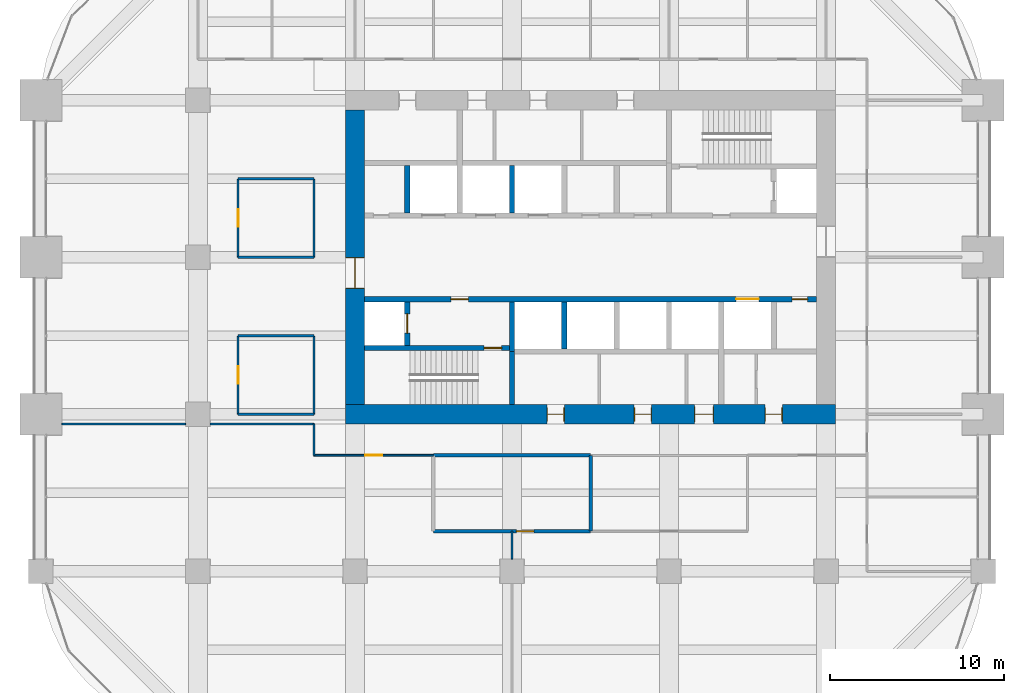
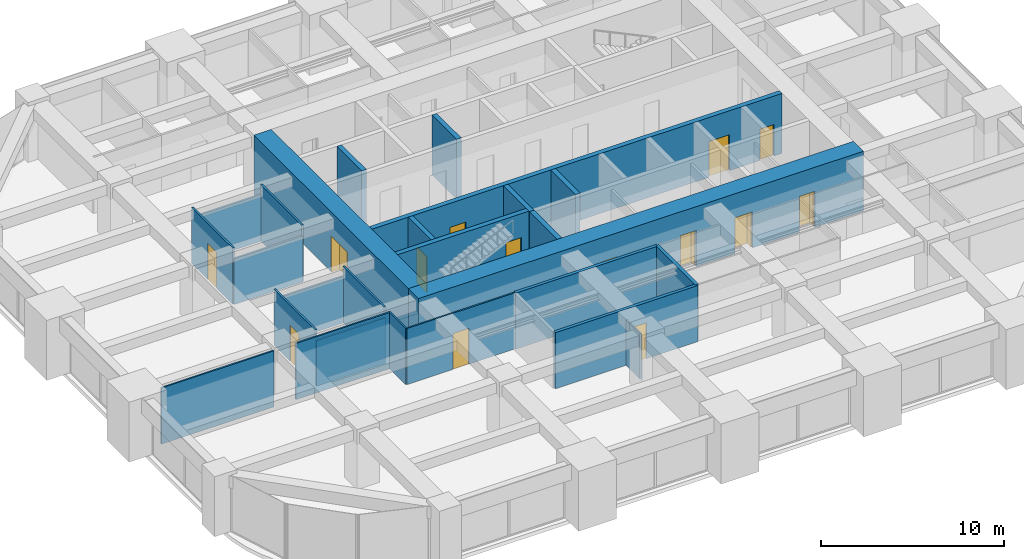
# One storey, part 29 of 32: 26 walls, 14 doors, 14 openings.
"""IFC4 building model written with IfcOpenShell, lengths in metres."""

from ifc_helpers import new_model, si_unit, direction, frame, frame_2d, origin, place, context, subcontext, project, spatial, rectangle, extrude, material, layer, layer_set, type_object, element, fill, save


model = new_model("IFC4")

# Units and contexts
model_context = context("Model", 3, precision=1e-05, world=origin(), true_north=direction((0.0, 1.0)))
body_context = subcontext(model_context, "Body", "Model", "MODEL_VIEW")
ifc_project = project(units=[si_unit("LENGTHUNIT", "METRE"), si_unit("AREAUNIT", "SQUARE_METRE"), si_unit("VOLUMEUNIT", "CUBIC_METRE"), si_unit("PLANEANGLEUNIT", "RADIAN"), si_unit("MASSUNIT", "GRAM", prefix="KILO")], contexts=[model_context])

# Site, building, storey
site_placement = place(None, origin())
site = spatial("IfcSite", under=ifc_project, at=site_placement, CompositionType="ELEMENT")
building_placement = place(site_placement, origin())
building = spatial("IfcBuilding", under=site, at=building_placement, Name="Zorevar Civic Tower", CompositionType="ELEMENT")
storey_placement = place(building_placement, frame((0.0, 0.0, 202.199951171875)))
storey = spatial("IfcBuildingStorey", under=building, at=storey_placement, Name="L49", CompositionType="ELEMENT", Elevation=202.199951171875)

# Wall, opening, door
ifc_material_1 = material(Name="Concrete blockwork", Category="masonry")
ifc_layer_1 = layer(ifc_material_1, 0.199951171875)
ifc_layer_set_1 = layer_set([ifc_layer_1], Name="Blockwork wall 200")
wall_type_1 = type_object("IfcWallType", Name="Blockwork wall 200", PredefinedType="SOLIDWALL", material=ifc_layer_set_1)
wall_1_placement = place(storey_placement, frame((22.5, 11.300048828125, 0.0), z_axis=(0.0, 0.0, 1.0), x_axis=(1.0, 0.0, 0.0)))
wall_1 = element("IfcWall", 1, at=wall_1_placement, inside=storey, type_object=wall_type_1, Name="Blockwork wall 200 L49", PredefinedType="SOLIDWALL", context=body_context, shape_type="SweptSolid", body=[
    extrude(rectangle(XDim=9.0, YDim=0.199951171875, at=frame_2d((4.5, 0.0))), origin(), (0.0, 0.0, 1.0), 3.75),
])
opening_1_placement = place(wall_1_placement, frame((4.75, 0.0, 0.0)))
opening_1 = element("IfcOpeningElement", 2, at=opening_1_placement, cuts=wall_1, Name="Opening L49.17", PredefinedType="OPENING", context=body_context, shape_type="SweptSolid", body=[
    extrude(rectangle(XDim=1.0, YDim=2.39990234375, at=frame_2d((0.5, 1.199951171875))), frame((0.0, 0.10986328125, 0.0), z_axis=(0.0, -1.0, 0.0), x_axis=(1.0, 0.0, 0.0)), (0.0, 0.0, 1.0), 0.219970703125),
])
ifc_material_2 = material(Name="Steel door set", Category="steel")
door_type_1 = type_object("IfcDoorType", Name="Security door SD1 1000x2400", OperationType="SINGLE_SWING_LEFT", PredefinedType="DOOR", material=ifc_material_2)
door_1_placement = place(opening_1_placement, origin())
door_1 = element("IfcDoor", 3, at=door_1_placement, inside=storey, type_object=door_type_1, Name="Door L49 D1", OperationType="SINGLE_SWING_RIGHT", OverallHeight=2.39990234375, OverallWidth=1.0, PredefinedType="DOOR", context=body_context, shape_type="SweptSolid", body=[
    extrude(rectangle(XDim=1.0, YDim=2.39990234375, at=frame_2d((0.5, 1.199951171875))), frame((0.0, 0.03515625, 0.0), z_axis=(0.0, -1.0, 0.0), x_axis=(1.0, 0.0, 0.0)), (0.0, 0.0, 1.0), 0.070068359375),
])
fill(opening_1, door_1)

# Walls
wall_2_placement = place(storey_placement, frame((22.5, 15.64990234375, 0.0), z_axis=(0.0, 0.0, 1.0), x_axis=(1.0, 0.0, 0.0)))
element("IfcWall", 4, at=wall_2_placement, inside=storey, type_object=wall_type_1, Name="Blockwork wall 200 L49", PredefinedType="SOLIDWALL", context=body_context, shape_type="SweptSolid", body=[
    extrude(rectangle(XDim=9.0, YDim=0.199951171875, at=frame_2d((4.5, 0.0))), origin(), (0.0, 0.0, 1.0), 3.75),
])
wall_3_placement = place(storey_placement, frame((31.5, 11.300048828125, 0.0), z_axis=(0.0, 0.0, 1.0), x_axis=(0.0, 1.0, 0.0)))
element("IfcWall", 5, at=wall_3_placement, inside=storey, type_object=wall_type_1, Name="Blockwork wall 200 L49", PredefinedType="SOLIDWALL", context=body_context, shape_type="SweptSolid", body=[
    extrude(rectangle(XDim=4.349853515625, YDim=0.199951171875, at=frame_2d((2.1748046875, 0.0))), origin(), (0.0, 0.0, 1.0), 3.75),
])

# Wall, openings, doors
ifc_material_3 = material(Name="Concrete C50/60", Category="concrete")
ifc_layer_2 = layer(ifc_material_3, 1.10009765625)
ifc_layer_set_2 = layer_set([ifc_layer_2], Name="Core wall 1100")
wall_type_2 = type_object("IfcWallType", Name="Core wall 1100", PredefinedType="SHEAR", material=ifc_layer_set_2)
wall_4_placement = place(storey_placement, frame((17.449951171875, 18.0, 0.0), z_axis=(0.0, 0.0, 1.0), x_axis=(1.0, 0.0, 0.0)))
wall_4 = element("IfcWall", 6, at=wall_4_placement, inside=storey, type_object=wall_type_2, Name="Core wall S L49", PredefinedType="SHEAR", context=body_context, shape_type="SweptSolid", body=[
    extrude(rectangle(XDim=28.10009765625, YDim=1.10009765625, at=frame_2d((14.050048828125, 0.0))), origin(), (0.0, 0.0, 1.0), 4.0),
])
opening_2_placement = place(wall_4_placement, frame((11.550048828125, 0.0, 0.0)))
opening_2 = element("IfcOpeningElement", 7, at=opening_2_placement, cuts=wall_4, Name="Opening L49.03", PredefinedType="OPENING", context=body_context, shape_type="SweptSolid", body=[
    extrude(rectangle(XDim=1.0, YDim=2.39990234375, at=frame_2d((0.5, 1.199951171875))), frame((0.0, 0.56005859375, 0.0), z_axis=(0.0, -1.0, 0.0), x_axis=(1.0, 0.0, 0.0)), (0.0, 0.0, 1.0), 1.1201171875),
])
opening_3_placement = place(wall_4_placement, frame((16.550048828125, 0.0, 0.0)))
opening_3 = element("IfcOpeningElement", 8, at=opening_3_placement, cuts=wall_4, Name="Opening L49.04", PredefinedType="OPENING", context=body_context, shape_type="SweptSolid", body=[
    extrude(rectangle(XDim=1.0, YDim=2.39990234375, at=frame_2d((0.5, 1.199951171875))), frame((0.0, 0.56005859375, 0.0), z_axis=(0.0, -1.0, 0.0), x_axis=(1.0, 0.0, 0.0)), (0.0, 0.0, 1.0), 1.1201171875),
])
opening_4_placement = place(wall_4_placement, frame((20.0, 0.0, 0.0)))
opening_4 = element("IfcOpeningElement", 9, at=opening_4_placement, cuts=wall_4, Name="Opening L49.05", PredefinedType="OPENING", context=body_context, shape_type="SweptSolid", body=[
    extrude(rectangle(XDim=1.10009765625, YDim=2.39990234375, at=frame_2d((0.550048828125, 1.199951171875))), frame((0.0, 0.56005859375, 0.0), z_axis=(0.0, -1.0, 0.0), x_axis=(1.0, 0.0, 0.0)), (0.0, 0.0, 1.0), 1.1201171875),
])
opening_5_placement = place(wall_4_placement, frame((24.050048828125, 0.0, 0.0)))
opening_5 = element("IfcOpeningElement", 10, at=opening_5_placement, cuts=wall_4, Name="Opening L49.06", PredefinedType="OPENING", context=body_context, shape_type="SweptSolid", body=[
    extrude(rectangle(XDim=1.0, YDim=2.39990234375, at=frame_2d((0.5, 1.199951171875))), frame((0.0, 0.56005859375, 0.0), z_axis=(0.0, -1.0, 0.0), x_axis=(1.0, 0.0, 0.0)), (0.0, 0.0, 1.0), 1.1201171875),
])
ifc_material_4 = material(Name="Timber door set", Category="wood")
door_type_2 = type_object("IfcDoorType", Name="Door D1 1000x2400", OperationType="SINGLE_SWING_LEFT", PredefinedType="DOOR", material=ifc_material_4)
door_2_placement = place(opening_2_placement, origin())
door_2 = element("IfcDoor", 11, at=door_2_placement, inside=storey, type_object=door_type_2, Name="Door L49 02", OperationType="SINGLE_SWING_RIGHT", OverallHeight=2.39990234375, OverallWidth=1.0, PredefinedType="DOOR", context=body_context, shape_type="SweptSolid", body=[
    extrude(rectangle(XDim=1.0, YDim=2.39990234375, at=frame_2d((0.5, 1.199951171875))), frame((0.0, 0.02490234375, 0.0), z_axis=(0.0, -1.0, 0.0), x_axis=(1.0, 0.0, 0.0)), (0.0, 0.0, 1.0), 0.050048828125),
    extrude(rectangle(XDim=0.04, YDim=2.39990234375, at=frame_2d((0.02001953125, 1.199951171875))), frame((0.0, 0.39990234375, 0.0), z_axis=(0.0, -1.0, 0.0), x_axis=(1.0, 0.0, 0.0)), (0.0, 0.0, 1.0), 0.800048828125),
    extrude(rectangle(XDim=0.04, YDim=2.39990234375, at=frame_2d((0.97998046875, 1.199951171875))), frame((0.0, 0.39990234375, 0.0), z_axis=(0.0, -1.0, 0.0), x_axis=(1.0, 0.0, 0.0)), (0.0, 0.0, 1.0), 0.800048828125),
    extrude(rectangle(XDim=1.0, YDim=0.04, at=frame_2d((0.5, 2.3798828125))), frame((0.0, 0.39990234375, 0.0), z_axis=(0.0, -1.0, 0.0), x_axis=(1.0, 0.0, 0.0)), (0.0, 0.0, 1.0), 0.800048828125),
])
fill(opening_2, door_2)
door_3_placement = place(opening_3_placement, origin())
door_3 = element("IfcDoor", 12, at=door_3_placement, inside=storey, type_object=door_type_2, Name="Door L49 03", OperationType="SINGLE_SWING_LEFT", OverallHeight=2.39990234375, OverallWidth=1.0, PredefinedType="DOOR", context=body_context, shape_type="SweptSolid", body=[
    extrude(rectangle(XDim=1.0, YDim=2.39990234375, at=frame_2d((0.5, 1.199951171875))), frame((0.0, 0.02490234375, 0.0), z_axis=(0.0, -1.0, 0.0), x_axis=(1.0, 0.0, 0.0)), (0.0, 0.0, 1.0), 0.050048828125),
    extrude(rectangle(XDim=0.04, YDim=2.39990234375, at=frame_2d((0.02001953125, 1.199951171875))), frame((0.0, 0.39990234375, 0.0), z_axis=(0.0, -1.0, 0.0), x_axis=(1.0, 0.0, 0.0)), (0.0, 0.0, 1.0), 0.800048828125),
    extrude(rectangle(XDim=0.04, YDim=2.39990234375, at=frame_2d((0.97998046875, 1.199951171875))), frame((0.0, 0.39990234375, 0.0), z_axis=(0.0, -1.0, 0.0), x_axis=(1.0, 0.0, 0.0)), (0.0, 0.0, 1.0), 0.800048828125),
    extrude(rectangle(XDim=1.0, YDim=0.04, at=frame_2d((0.5, 2.3798828125))), frame((0.0, 0.39990234375, 0.0), z_axis=(0.0, -1.0, 0.0), x_axis=(1.0, 0.0, 0.0)), (0.0, 0.0, 1.0), 0.800048828125),
])
fill(opening_3, door_3)
door_4_placement = place(opening_5_placement, origin())
door_4 = element("IfcDoor", 13, at=door_4_placement, inside=storey, type_object=door_type_2, Name="Door L49 05", OperationType="SINGLE_SWING_LEFT", OverallHeight=2.39990234375, OverallWidth=1.0, PredefinedType="DOOR", context=body_context, shape_type="SweptSolid", body=[
    extrude(rectangle(XDim=1.0, YDim=2.39990234375, at=frame_2d((0.5, 1.199951171875))), frame((0.0, 0.02490234375, 0.0), z_axis=(0.0, -1.0, 0.0), x_axis=(1.0, 0.0, 0.0)), (0.0, 0.0, 1.0), 0.050048828125),
    extrude(rectangle(XDim=0.04, YDim=2.39990234375, at=frame_2d((0.02001953125, 1.199951171875))), frame((0.0, 0.39990234375, 0.0), z_axis=(0.0, -1.0, 0.0), x_axis=(1.0, 0.0, 0.0)), (0.0, 0.0, 1.0), 0.800048828125),
    extrude(rectangle(XDim=0.04, YDim=2.39990234375, at=frame_2d((0.97998046875, 1.199951171875))), frame((0.0, 0.39990234375, 0.0), z_axis=(0.0, -1.0, 0.0), x_axis=(1.0, 0.0, 0.0)), (0.0, 0.0, 1.0), 0.800048828125),
    extrude(rectangle(XDim=1.0, YDim=0.04, at=frame_2d((0.5, 2.3798828125))), frame((0.0, 0.39990234375, 0.0), z_axis=(0.0, -1.0, 0.0), x_axis=(1.0, 0.0, 0.0)), (0.0, 0.0, 1.0), 0.800048828125),
])
fill(opening_5, door_4)
ifc_material_5 = material(Name="Timber door set", Category="wood")
door_type_3 = type_object("IfcDoorType", Name="Door D5 1100x2400", OperationType="SINGLE_SWING_LEFT", PredefinedType="DOOR", material=ifc_material_5)
door_5_placement = place(opening_4_placement, origin())
door_5 = element("IfcDoor", 14, at=door_5_placement, inside=storey, type_object=door_type_3, Name="Door L49 04", OperationType="SINGLE_SWING_LEFT", OverallHeight=2.39990234375, OverallWidth=1.10009765625, PredefinedType="DOOR", context=body_context, shape_type="SweptSolid", body=[
    extrude(rectangle(XDim=1.10009765625, YDim=2.39990234375, at=frame_2d((0.550048828125, 1.199951171875))), frame((0.0, 0.02490234375, 0.0), z_axis=(0.0, -1.0, 0.0), x_axis=(1.0, 0.0, 0.0)), (0.0, 0.0, 1.0), 0.050048828125),
    extrude(rectangle(XDim=0.04, YDim=2.39990234375, at=frame_2d((0.02001953125, 1.199951171875))), frame((0.0, 0.43994140625, 0.0), z_axis=(0.0, -1.0, 0.0), x_axis=(1.0, 0.0, 0.0)), (0.0, 0.0, 1.0), 0.880126953125),
    extrude(rectangle(XDim=0.04, YDim=2.39990234375, at=frame_2d((1.080078125, 1.199951171875))), frame((0.0, 0.43994140625, 0.0), z_axis=(0.0, -1.0, 0.0), x_axis=(1.0, 0.0, 0.0)), (0.0, 0.0, 1.0), 0.880126953125),
    extrude(rectangle(XDim=1.10009765625, YDim=0.04, at=frame_2d((0.550048828125, 2.3798828125))), frame((0.0, 0.43994140625, 0.0), z_axis=(0.0, -1.0, 0.0), x_axis=(1.0, 0.0, 0.0)), (0.0, 0.0, 1.0), 0.880126953125),
])
fill(opening_4, door_5)

# Wall, opening, door
wall_5_placement = place(storey_placement, frame((18.0, 35.449951171875, 0.0), z_axis=(0.0, 0.0, 1.0), x_axis=(0.0, -1.0, 0.0)))
wall_5 = element("IfcWall", 15, at=wall_5_placement, inside=storey, type_object=wall_type_2, Name="Core wall W L49", PredefinedType="SHEAR", context=body_context, shape_type="SweptSolid", body=[
    extrude(rectangle(XDim=16.89990234375, YDim=1.10009765625, at=frame_2d((8.449951171875, 0.0))), origin(), (0.0, 0.0, 1.0), 4.0),
])
opening_6_placement = place(wall_5_placement, frame((8.449951171875, 0.0, 0.0)))
opening_6 = element("IfcOpeningElement", 16, at=opening_6_placement, cuts=wall_5, Name="Opening L49.01", PredefinedType="OPENING", context=body_context, shape_type="SweptSolid", body=[
    extrude(rectangle(XDim=1.800048828125, YDim=2.39990234375, at=frame_2d((0.89990234375, 1.199951171875))), frame((0.0, 0.56005859375, 0.0), z_axis=(0.0, -1.0, 0.0), x_axis=(1.0, 0.0, 0.0)), (0.0, 0.0, 1.0), 1.1201171875),
])
ifc_material_6 = material(Name="Steel door set", Category="steel")
door_type_4 = type_object("IfcDoorType", Name="Fire door FD2 1800x2400", OperationType="DOUBLE_DOOR_DOUBLE_SWING", PredefinedType="DOOR", material=ifc_material_6)
door_6_placement = place(opening_6_placement, origin())
door_6 = element("IfcDoor", 17, at=door_6_placement, inside=storey, type_object=door_type_4, Name="Door L49 00", OperationType="DOUBLE_DOOR_DOUBLE_SWING", OverallHeight=2.39990234375, OverallWidth=1.800048828125, PredefinedType="DOOR", context=body_context, shape_type="SweptSolid", body=[
    extrude(rectangle(XDim=1.800048828125, YDim=2.39990234375, at=frame_2d((0.89990234375, 1.199951171875))), frame((0.0, 0.030029296875, 0.0), z_axis=(0.0, -1.0, 0.0), x_axis=(1.0, 0.0, 0.0)), (0.0, 0.0, 1.0), 0.06005859375),
    extrude(rectangle(XDim=0.04, YDim=2.39990234375, at=frame_2d((0.02001953125, 1.199951171875))), frame((0.0, 0.5498046875, 0.0), z_axis=(0.0, -1.0, 0.0), x_axis=(1.0, 0.0, 0.0)), (0.0, 0.0, 1.0), 1.099609375),
    extrude(rectangle(XDim=0.04, YDim=2.39990234375, at=frame_2d((1.780029296875, 1.199951171875))), frame((0.0, 0.5498046875, 0.0), z_axis=(0.0, -1.0, 0.0), x_axis=(1.0, 0.0, 0.0)), (0.0, 0.0, 1.0), 1.099609375),
    extrude(rectangle(XDim=1.800048828125, YDim=0.04, at=frame_2d((0.89990234375, 2.3798828125))), frame((0.0, 0.5498046875, 0.0), z_axis=(0.0, -1.0, 0.0), x_axis=(1.0, 0.0, 0.0)), (0.0, 0.0, 1.0), 1.099609375),
])
fill(opening_6, door_6)

ifc_material_7 = material(Name="Laminated glass in black aluminium frame", Category="aluminium")
ifc_layer_3 = layer(ifc_material_7, 0.10009765625)
ifc_layer_set_3 = layer_set([ifc_layer_3], Name="Glazed partition 100")
wall_type_3 = type_object("IfcWallType", Name="Glazed partition 100", PredefinedType="PARTITIONING", material=ifc_layer_set_3)
wall_6_placement = place(storey_placement, frame((15.64990234375, 15.64990234375, 0.0), z_axis=(0.0, 0.0, 1.0), x_axis=(1.0, 0.0, 0.0)))
wall_6 = element("IfcWall", 18, at=wall_6_placement, inside=storey, type_object=wall_type_3, Name="Glazed partition 100 L49", PredefinedType="PARTITIONING", context=body_context, shape_type="SweptSolid", body=[
    extrude(rectangle(XDim=6.85009765625, YDim=0.10009765625, at=frame_2d((3.425048828125, 0.0))), origin(), (0.0, 0.0, 1.0), 3.75),
])
opening_7_placement = place(wall_6_placement, frame((2.925048828125, 0.0, 0.0)))
opening_7 = element("IfcOpeningElement", 19, at=opening_7_placement, cuts=wall_6, Name="Opening L49.19", PredefinedType="OPENING", context=body_context, shape_type="SweptSolid", body=[
    extrude(rectangle(XDim=1.0, YDim=2.39990234375, at=frame_2d((0.5, 1.199951171875))), frame((0.0, 0.06005859375, 0.0), z_axis=(0.0, -1.0, 0.0), x_axis=(1.0, 0.0, 0.0)), (0.0, 0.0, 1.0), 0.1201171875),
])
ifc_material_8 = material(Name="Timber door set", Category="wood")
door_type_5 = type_object("IfcDoorType", Name="Glazed door GD1 1000x2400", OperationType="SINGLE_SWING_LEFT", PredefinedType="DOOR", material=ifc_material_8)
door_7_placement = place(opening_7_placement, origin())
door_7 = element("IfcDoor", 20, at=door_7_placement, inside=storey, type_object=door_type_5, Name="Door L49 D1", OperationType="SINGLE_SWING_RIGHT", OverallHeight=2.39990234375, OverallWidth=1.0, PredefinedType="DOOR", context=body_context, shape_type="SweptSolid", body=[
    extrude(rectangle(XDim=1.0, YDim=2.39990234375, at=frame_2d((0.5, 1.199951171875))), frame((0.0, 0.02001953125, 0.0), z_axis=(0.0, -1.0, 0.0), x_axis=(1.0, 0.0, 0.0)), (0.0, 0.0, 1.0), 0.0400390625),
])
fill(opening_7, door_7)

# Walls
wall_7_placement = place(storey_placement, frame((1.199951171875, 17.449951171875, 0.0), z_axis=(0.0, 0.0, 1.0), x_axis=(1.0, 0.0, 0.0)))
element("IfcWall", 21, at=wall_7_placement, inside=storey, type_object=wall_type_3, Name="Glazed partition 100 L49", PredefinedType="PARTITIONING", context=body_context, shape_type="SweptSolid", body=[
    extrude(rectangle(XDim=7.10009765625, YDim=0.10009765625, at=frame_2d((3.550048828125, 0.0))), origin(), (0.0, 0.0, 1.0), 3.75),
])
wall_8_placement = place(storey_placement, frame((9.699951171875, 17.449951171875, 0.0), z_axis=(0.0, 0.0, 1.0), x_axis=(1.0, 0.0, 0.0)))
element("IfcWall", 22, at=wall_8_placement, inside=storey, type_object=wall_type_3, Name="Glazed partition 100 L49", PredefinedType="PARTITIONING", context=body_context, shape_type="SweptSolid", body=[
    extrude(rectangle(XDim=5.949951171875, YDim=0.10009765625, at=frame_2d((2.97509765625, 0.0))), origin(), (0.0, 0.0, 1.0), 3.75),
])
wall_9_placement = place(storey_placement, frame((15.64990234375, 15.64990234375, 0.0), z_axis=(0.0, 0.0, 1.0), x_axis=(0.0, 1.0, 0.0)))
element("IfcWall", 23, at=wall_9_placement, inside=storey, type_object=wall_type_3, Name="Glazed partition 100 L49", PredefinedType="PARTITIONING", context=body_context, shape_type="SweptSolid", body=[
    extrude(rectangle(XDim=1.800048828125, YDim=0.10009765625, at=frame_2d((0.89990234375, 0.0))), origin(), (0.0, 0.0, 1.0), 3.75),
])
wall_10_placement = place(storey_placement, frame((27.0, 9.699951171875, 0.0), z_axis=(0.0, 0.0, 1.0), x_axis=(0.0, 1.0, 0.0)))
element("IfcWall", 24, at=wall_10_placement, inside=storey, type_object=wall_type_3, Name="Glazed partition 100 L49", PredefinedType="PARTITIONING", context=body_context, shape_type="SweptSolid", body=[
    extrude(rectangle(XDim=1.610107421875, YDim=0.10009765625, at=frame_2d((0.80517578125, 0.0))), origin(), (0.0, 0.0, 1.0), 3.050048828125),
])

# Wall, opening, door
ifc_material_9 = material(Name="Concrete C40/50", Category="concrete")
ifc_layer_4 = layer(ifc_material_9, 0.300048828125)
ifc_layer_set_4 = layer_set([ifc_layer_4], Name="Inner core wall 300")
wall_type_4 = type_object("IfcWallType", Name="Inner core wall 300", PredefinedType="SHEAR", material=ifc_layer_set_4)
wall_11_placement = place(storey_placement, frame((18.550048828125, 21.800048828125, 0.0), z_axis=(0.0, 0.0, 1.0), x_axis=(1.0, 0.0, 0.0)))
wall_11 = element("IfcWall", 25, at=wall_11_placement, inside=storey, type_object=wall_type_4, Name="Inner core wall S00 L49", PredefinedType="SHEAR", context=body_context, shape_type="SweptSolid", body=[
    extrude(rectangle(XDim=8.300048828125, YDim=0.300048828125, at=frame_2d((4.14990234375, 0.0))), origin(), (0.0, 0.0, 1.0), 4.0),
])
opening_8_placement = place(wall_11_placement, frame((6.85009765625, 0.0, 0.0)))
opening_8 = element("IfcOpeningElement", 26, at=opening_8_placement, cuts=wall_11, Name="Opening L49.11", PredefinedType="OPENING", context=body_context, shape_type="SweptSolid", body=[
    extrude(rectangle(XDim=1.0, YDim=2.39990234375, at=frame_2d((0.5, 1.199951171875))), frame((0.0, 0.159912109375, 0.0), z_axis=(0.0, -1.0, 0.0), x_axis=(1.0, 0.0, 0.0)), (0.0, 0.0, 1.0), 0.320068359375),
])
ifc_material_10 = material(Name="Steel door set", Category="steel")
door_type_6 = type_object("IfcDoorType", Name="Fire door FD1 1000x2400", OperationType="SINGLE_SWING_LEFT", PredefinedType="DOOR", material=ifc_material_10)
door_8_placement = place(opening_8_placement, origin())
door_8 = element("IfcDoor", 27, at=door_8_placement, inside=storey, type_object=door_type_6, Name="Door L49 10", OperationType="SINGLE_SWING_RIGHT", OverallHeight=2.39990234375, OverallWidth=1.0, PredefinedType="DOOR", context=body_context, shape_type="SweptSolid", body=[
    extrude(rectangle(XDim=1.0, YDim=2.39990234375, at=frame_2d((0.5, 1.199951171875))), frame((0.0, 0.030029296875, 0.0), z_axis=(0.0, -1.0, 0.0), x_axis=(1.0, 0.0, 0.0)), (0.0, 0.0, 1.0), 0.06005859375),
])
fill(opening_8, door_8)

# Wall
wall_12_placement = place(storey_placement, frame((27.0, 18.550048828125, 0.0), z_axis=(0.0, 0.0, 1.0), x_axis=(0.0, 1.0, 0.0)))
element("IfcWall", 28, at=wall_12_placement, inside=storey, type_object=wall_type_4, Name="Inner core wall S01 L49", PredefinedType="SHEAR", context=body_context, shape_type="SweptSolid", body=[
    extrude(rectangle(XDim=3.050048828125, YDim=0.300048828125, at=frame_2d((1.52490234375, 0.0))), origin(), (0.0, 0.0, 1.0), 4.0),
])

# Wall, opening, door
wall_13_placement = place(storey_placement, frame((21.0, 21.949951171875, 0.0), z_axis=(0.0, 0.0, 1.0), x_axis=(0.0, 1.0, 0.0)))
wall_13 = element("IfcWall", 29, at=wall_13_placement, inside=storey, type_object=wall_type_4, Name="Inner core wall S02 L49", PredefinedType="SHEAR", context=body_context, shape_type="SweptSolid", body=[
    extrude(rectangle(XDim=2.5, YDim=0.300048828125, at=frame_2d((1.25, 0.0))), origin(), (0.0, 0.0, 1.0), 4.0),
])
opening_9_placement = place(wall_13_placement, frame((0.699951171875, 0.0, 0.0)))
opening_9 = element("IfcOpeningElement", 30, at=opening_9_placement, cuts=wall_13, Name="Opening L49.FL1", PredefinedType="OPENING", context=body_context, shape_type="SweptSolid", body=[
    extrude(rectangle(XDim=1.10009765625, YDim=2.39990234375, at=frame_2d((0.550048828125, 1.199951171875))), frame((0.0, 0.159912109375, 0.0), z_axis=(0.0, -1.0, 0.0), x_axis=(1.0, 0.0, 0.0)), (0.0, 0.0, 1.0), 0.320068359375),
])
ifc_material_11 = material(Name="Steel door set", Category="steel")
door_type_7 = type_object("IfcDoorType", Name="Firefighting lift landing door LD3 1100x2400", OperationType="DOUBLE_DOOR_SLIDING", PredefinedType="DOOR", material=ifc_material_11)
door_9_placement = place(opening_9_placement, origin())
door_9 = element("IfcDoor", 31, at=door_9_placement, inside=storey, type_object=door_type_7, Name="Landing door FL1 L49", OperationType="DOUBLE_DOOR_SLIDING", OverallHeight=2.39990234375, OverallWidth=1.10009765625, PredefinedType="DOOR", context=body_context, shape_type="SweptSolid", body=[
    extrude(rectangle(XDim=1.10009765625, YDim=2.39990234375, at=frame_2d((0.550048828125, 1.199951171875))), frame((0.0, 0.030029296875, 0.0), z_axis=(0.0, -1.0, 0.0), x_axis=(1.0, 0.0, 0.0)), (0.0, 0.0, 1.0), 0.06005859375),
])
fill(opening_9, door_9)

# Wall, openings, doors
wall_14_placement = place(storey_placement, frame((18.550048828125, 24.60009765625, 0.0), z_axis=(0.0, 0.0, 1.0), x_axis=(1.0, 0.0, 0.0)))
wall_14 = element("IfcWall", 32, at=wall_14_placement, inside=storey, type_object=wall_type_4, Name="Inner core wall S03 L49", PredefinedType="SHEAR", context=body_context, shape_type="SweptSolid", body=[
    extrude(rectangle(XDim=25.89990234375, YDim=0.300048828125, at=frame_2d((12.949951171875, 0.0))), origin(), (0.0, 0.0, 1.0), 4.0),
])
opening_10_placement = place(wall_14_placement, frame((4.949951171875, 0.0, 0.0)))
opening_10 = element("IfcOpeningElement", 33, at=opening_10_placement, cuts=wall_14, Name="Opening L49.13", PredefinedType="OPENING", context=body_context, shape_type="SweptSolid", body=[
    extrude(rectangle(XDim=1.0, YDim=2.39990234375, at=frame_2d((0.5, 1.199951171875))), frame((0.0, 0.159912109375, 0.0), z_axis=(0.0, -1.0, 0.0), x_axis=(1.0, 0.0, 0.0)), (0.0, 0.0, 1.0), 0.320068359375),
])
opening_11_placement = place(wall_14_placement, frame((24.5, 0.0, 0.0)))
opening_11 = element("IfcOpeningElement", 34, at=opening_11_placement, cuts=wall_14, Name="Opening L49.15", PredefinedType="OPENING", context=body_context, shape_type="SweptSolid", body=[
    extrude(rectangle(XDim=0.89990234375, YDim=2.10009765625, at=frame_2d((0.449951171875, 1.050048828125))), frame((0.0, 0.159912109375, 0.0), z_axis=(0.0, -1.0, 0.0), x_axis=(1.0, 0.0, 0.0)), (0.0, 0.0, 1.0), 0.320068359375),
])
opening_12_placement = place(wall_14_placement, frame((21.300048828125, 0.0, 0.0)))
opening_12 = element("IfcOpeningElement", 35, at=opening_12_placement, cuts=wall_14, Name="Opening L49.SL1", PredefinedType="OPENING", context=body_context, shape_type="SweptSolid", body=[
    extrude(rectangle(XDim=1.300048828125, YDim=2.39990234375, at=frame_2d((0.64990234375, 1.199951171875))), frame((0.0, 0.159912109375, 0.0), z_axis=(0.0, -1.0, 0.0), x_axis=(1.0, 0.0, 0.0)), (0.0, 0.0, 1.0), 0.320068359375),
])
door_10_placement = place(opening_10_placement, origin())
door_10 = element("IfcDoor", 36, at=door_10_placement, inside=storey, type_object=door_type_6, Name="Door L49 12", OperationType="SINGLE_SWING_RIGHT", OverallHeight=2.39990234375, OverallWidth=1.0, PredefinedType="DOOR", context=body_context, shape_type="SweptSolid", body=[
    extrude(rectangle(XDim=1.0, YDim=2.39990234375, at=frame_2d((0.5, 1.199951171875))), frame((0.0, 0.030029296875, 0.0), z_axis=(0.0, -1.0, 0.0), x_axis=(1.0, 0.0, 0.0)), (0.0, 0.0, 1.0), 0.06005859375),
])
fill(opening_10, door_10)
ifc_material_12 = material(Name="Steel door set", Category="steel")
door_type_8 = type_object("IfcDoorType", Name="Landing door LD2 1300x2400", OperationType="DOUBLE_DOOR_SLIDING", PredefinedType="DOOR", material=ifc_material_12)
door_11_placement = place(opening_12_placement, origin())
door_11 = element("IfcDoor", 37, at=door_11_placement, inside=storey, type_object=door_type_8, Name="Landing door SL1 L49", OperationType="DOUBLE_DOOR_SLIDING", OverallHeight=2.39990234375, OverallWidth=1.300048828125, PredefinedType="DOOR", context=body_context, shape_type="SweptSolid", body=[
    extrude(rectangle(XDim=1.300048828125, YDim=2.39990234375, at=frame_2d((0.64990234375, 1.199951171875))), frame((0.0, 0.02001953125, 0.0), z_axis=(0.0, -1.0, 0.0), x_axis=(1.0, 0.0, 0.0)), (0.0, 0.0, 1.0), 0.0400390625),
])
fill(opening_12, door_11)
ifc_material_13 = material(Name="Steel door set", Category="steel")
door_type_9 = type_object("IfcDoorType", Name="Riser door RD1 900x2100", OperationType="SINGLE_SWING_LEFT", PredefinedType="DOOR", material=ifc_material_13)
door_12_placement = place(opening_11_placement, origin())
door_12 = element("IfcDoor", 38, at=door_12_placement, inside=storey, type_object=door_type_9, Name="Door L49 14", OperationType="SINGLE_SWING_RIGHT", OverallHeight=2.10009765625, OverallWidth=0.89990234375, PredefinedType="DOOR", context=body_context, shape_type="SweptSolid", body=[
    extrude(rectangle(XDim=0.89990234375, YDim=2.10009765625, at=frame_2d((0.449951171875, 1.050048828125))), frame((0.0, 0.030029296875, 0.0), z_axis=(0.0, -1.0, 0.0), x_axis=(1.0, 0.0, 0.0)), (0.0, 0.0, 1.0), 0.06005859375),
])
fill(opening_11, door_12)

# Walls
for number, where, z_axis, x_axis, name in (
    (39, (30.0, 21.75, 0.0), (0.0, 0.0, 1.0), (0.0, 1.0, 0.0), "Inner core wall S05 L49"),
    (40, (27.0, 29.550048828125, 0.0), (0.0, 0.0, 1.0), (0.0, 1.0, 0.0), "Inner core wall N07 L49"),
    (41, (21.0, 29.550048828125, 0.0), (0.0, 0.0, 1.0), (0.0, 1.0, 0.0), "Inner core wall N09 L49"),
):
    element("IfcWall", number, at=place(storey_placement, frame(where, z_axis=z_axis, x_axis=x_axis)), inside=storey, type_object=wall_type_4, Name=name, PredefinedType="SHEAR", context=body_context, shape_type="SweptSolid", body=[
        extrude(rectangle(XDim=2.699951171875, YDim=0.300048828125, at=frame_2d((1.35009765625, 0.0))), origin(), (0.0, 0.0, 1.0), 4.0),
    ])
wall_15_placement = place(storey_placement, frame((27.0, 21.60009765625, 0.0), z_axis=(0.0, 0.0, 1.0), x_axis=(0.0, 1.0, 0.0)))
element("IfcWall", 42, at=wall_15_placement, inside=storey, type_object=wall_type_4, Name="Inner core wall S10 L49", PredefinedType="SHEAR", context=body_context, shape_type="SweptSolid", body=[
    extrude(rectangle(XDim=2.849853515625, YDim=0.300048828125, at=frame_2d((1.4248046875, 0.0))), origin(), (0.0, 0.0, 1.0), 4.0),
])
ifc_material_14 = material(Name="Gypsum board on steel studs", Category="steel")
ifc_layer_5 = layer(ifc_material_14, 0.1201171875)
ifc_layer_set_5 = layer_set([ifc_layer_5], Name="Partition 120")
wall_type_5 = type_object("IfcWallType", Name="Partition 120", PredefinedType="PARTITIONING", material=ifc_layer_set_5)
wall_16_placement = place(storey_placement, frame((11.300048828125, 18.0, 0.0), z_axis=(0.0, 0.0, 1.0), x_axis=(1.0, 0.0, 0.0)))
element("IfcWall", 43, at=wall_16_placement, inside=storey, type_object=wall_type_5, Name="Partition 120 L49", PredefinedType="PARTITIONING", context=body_context, shape_type="SweptSolid", body=[
    extrude(rectangle(XDim=4.349853515625, YDim=0.1201171875, at=frame_2d((2.1748046875, 0.0))), origin(), (0.0, 0.0, 1.0), 3.050048828125),
])
wall_17_placement = place(storey_placement, frame((11.300048828125, 22.5, 0.0), z_axis=(0.0, 0.0, 1.0), x_axis=(1.0, 0.0, 0.0)))
element("IfcWall", 44, at=wall_17_placement, inside=storey, type_object=wall_type_5, Name="Partition 120 L49", PredefinedType="PARTITIONING", context=body_context, shape_type="SweptSolid", body=[
    extrude(rectangle(XDim=4.349853515625, YDim=0.1201171875, at=frame_2d((2.1748046875, 0.0))), origin(), (0.0, 0.0, 1.0), 3.10009765625),
])
wall_18_placement = place(storey_placement, frame((11.300048828125, 27.0, 0.0), z_axis=(0.0, 0.0, 1.0), x_axis=(1.0, 0.0, 0.0)))
element("IfcWall", 45, at=wall_18_placement, inside=storey, type_object=wall_type_5, Name="Partition 120 L49", PredefinedType="PARTITIONING", context=body_context, shape_type="SweptSolid", body=[
    extrude(rectangle(XDim=4.349853515625, YDim=0.1201171875, at=frame_2d((2.1748046875, 0.0))), origin(), (0.0, 0.0, 1.0), 3.050048828125),
])
wall_19_placement = place(storey_placement, frame((11.300048828125, 31.5, 0.0), z_axis=(0.0, 0.0, 1.0), x_axis=(1.0, 0.0, 0.0)))
element("IfcWall", 46, at=wall_19_placement, inside=storey, type_object=wall_type_5, Name="Partition 120 L49", PredefinedType="PARTITIONING", context=body_context, shape_type="SweptSolid", body=[
    extrude(rectangle(XDim=4.349853515625, YDim=0.1201171875, at=frame_2d((2.1748046875, 0.0))), origin(), (0.0, 0.0, 1.0), 3.10009765625),
])

# Wall, opening, door
wall_20_placement = place(storey_placement, frame((11.300048828125, 18.0, 0.0), z_axis=(0.0, 0.0, 1.0), x_axis=(0.0, 1.0, 0.0)))
wall_20 = element("IfcWall", 47, at=wall_20_placement, inside=storey, type_object=wall_type_5, Name="Partition 120 L49", PredefinedType="PARTITIONING", context=body_context, shape_type="SweptSolid", body=[
    extrude(rectangle(XDim=4.5, YDim=0.1201171875, at=frame_2d((2.25, 0.0))), origin(), (0.0, 0.0, 1.0), 3.75),
])
opening_13_placement = place(wall_20_placement, frame((1.75, 0.0, 0.0)))
opening_13 = element("IfcOpeningElement", 48, at=opening_13_placement, cuts=wall_20, Name="Opening L49.29", PredefinedType="OPENING", context=body_context, shape_type="SweptSolid", body=[
    extrude(rectangle(XDim=1.0, YDim=2.39990234375, at=frame_2d((0.5, 1.199951171875))), frame((0.0, 0.070068359375, 0.0), z_axis=(0.0, -1.0, 0.0), x_axis=(1.0, 0.0, 0.0)), (0.0, 0.0, 1.0), 0.14013671875),
])
door_13_placement = place(opening_13_placement, origin())
door_13 = element("IfcDoor", 49, at=door_13_placement, inside=storey, type_object=door_type_2, Name="Door L49 D1", OperationType="SINGLE_SWING_RIGHT", OverallHeight=2.39990234375, OverallWidth=1.0, PredefinedType="DOOR", context=body_context, shape_type="SweptSolid", body=[
    extrude(rectangle(XDim=1.0, YDim=2.39990234375, at=frame_2d((0.5, 1.199951171875))), frame((0.0, 0.02490234375, 0.0), z_axis=(0.0, -1.0, 0.0), x_axis=(1.0, 0.0, 0.0)), (0.0, 0.0, 1.0), 0.050048828125),
])
fill(opening_13, door_13)

wall_21_placement = place(storey_placement, frame((11.300048828125, 27.0, 0.0), z_axis=(0.0, 0.0, 1.0), x_axis=(0.0, 1.0, 0.0)))
wall_21 = element("IfcWall", 50, at=wall_21_placement, inside=storey, type_object=wall_type_5, Name="Partition 120 L49", PredefinedType="PARTITIONING", context=body_context, shape_type="SweptSolid", body=[
    extrude(rectangle(XDim=4.5, YDim=0.1201171875, at=frame_2d((2.25, 0.0))), origin(), (0.0, 0.0, 1.0), 3.75),
])
opening_14_placement = place(wall_21_placement, frame((1.75, 0.0, 0.0)))
opening_14 = element("IfcOpeningElement", 51, at=opening_14_placement, cuts=wall_21, Name="Opening L49.30", PredefinedType="OPENING", context=body_context, shape_type="SweptSolid", body=[
    extrude(rectangle(XDim=1.0, YDim=2.39990234375, at=frame_2d((0.5, 1.199951171875))), frame((0.0, 0.070068359375, 0.0), z_axis=(0.0, -1.0, 0.0), x_axis=(1.0, 0.0, 0.0)), (0.0, 0.0, 1.0), 0.14013671875),
])
door_14_placement = place(opening_14_placement, origin())
door_14 = element("IfcDoor", 52, at=door_14_placement, inside=storey, type_object=door_type_2, Name="Door L49 D1", OperationType="SINGLE_SWING_LEFT", OverallHeight=2.39990234375, OverallWidth=1.0, PredefinedType="DOOR", context=body_context, shape_type="SweptSolid", body=[
    extrude(rectangle(XDim=1.0, YDim=2.39990234375, at=frame_2d((0.5, 1.199951171875))), frame((0.0, 0.02490234375, 0.0), z_axis=(0.0, -1.0, 0.0), x_axis=(1.0, 0.0, 0.0)), (0.0, 0.0, 1.0), 0.050048828125),
])
fill(opening_14, door_14)

# Walls
for number, where, z_axis, x_axis, name in (
    (53, (15.64990234375, 18.0, 0.0), (0.0, 0.0, 1.0), (0.0, 1.0, 0.0), "Partition 120 L49"),
    (54, (15.64990234375, 27.0, 0.0), (0.0, 0.0, 1.0), (0.0, 1.0, 0.0), "Partition 120 L49"),
):
    element("IfcWall", number, at=place(storey_placement, frame(where, z_axis=z_axis, x_axis=x_axis)), inside=storey, type_object=wall_type_5, Name=name, PredefinedType="PARTITIONING", context=body_context, shape_type="SweptSolid", body=[
        extrude(rectangle(XDim=4.5, YDim=0.1201171875, at=frame_2d((2.25, 0.0))), origin(), (0.0, 0.0, 1.0), 3.75),
    ])

save(model, "model.ifc")
